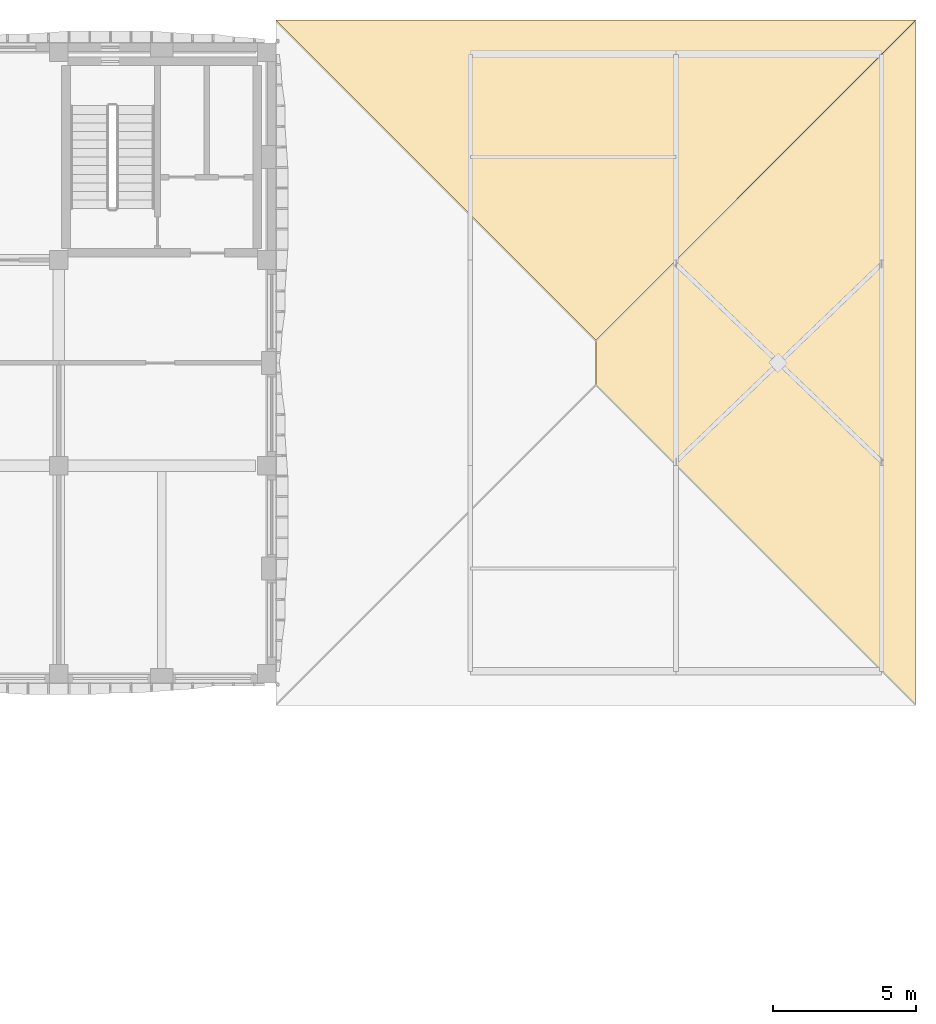
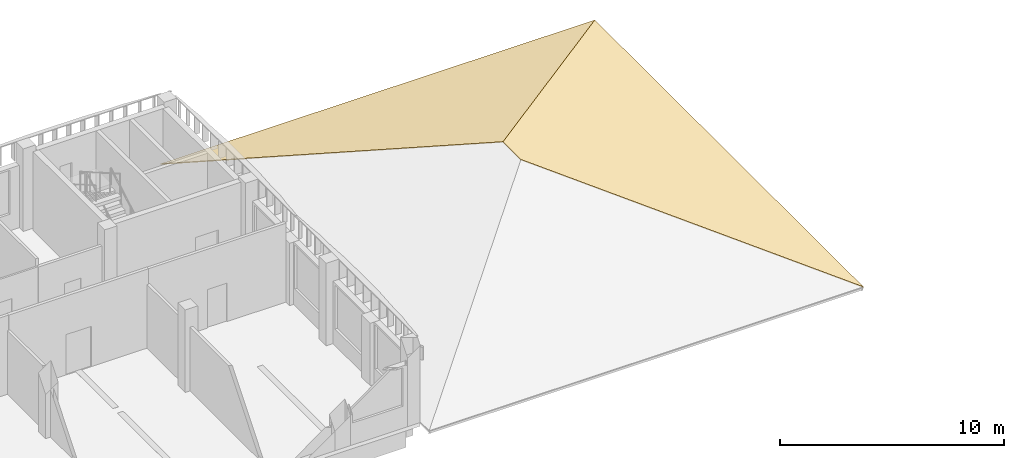
# One storey, part 50 of 54: 2 coverings.
"""IFC4 building model written with IfcOpenShell, lengths in metres."""

from ifc_helpers import new_model, si_unit, direction, frame, origin, place, context, subcontext, project, spatial, polyline, outline, extrude, material, layer, layer_set, type_object, element, save


model = new_model("IFC4")

# Units and contexts
model_context = context("Model", 3, precision=1e-05, world=origin(), true_north=direction((0.0, 1.0)))
body_context = subcontext(model_context, "Body", "Model", "MODEL_VIEW")
ifc_project = project(units=[si_unit("LENGTHUNIT", "METRE"), si_unit("AREAUNIT", "SQUARE_METRE"), si_unit("VOLUMEUNIT", "CUBIC_METRE"), si_unit("PLANEANGLEUNIT", "RADIAN"), si_unit("MASSUNIT", "GRAM", prefix="KILO")], contexts=[model_context])

# Site, building, storey
site_placement = place(None, origin())
site = spatial("IfcSite", under=ifc_project, at=site_placement, CompositionType="ELEMENT")
building_placement = place(site_placement, origin())
building = spatial("IfcBuilding", under=site, at=building_placement, Name="Ussher Court Research Institute", CompositionType="ELEMENT")
storey_placement = place(building_placement, frame((0.0, 0.0, 14.39990234375)))
storey = spatial("IfcBuildingStorey", under=building, at=storey_placement, Name="L03", CompositionType="ELEMENT", Elevation=14.39990234375)

# Coverings
ifc_material = material(Name="Zinc standing seam")
ifc_layer = layer(ifc_material, 0.0400390625)
ifc_layer_set = layer_set([ifc_layer], Name="Zinc standing seam")
covering_type = type_object("IfcCoveringType", Name="Standing seam zinc covering 40", PredefinedType="ROOFING", material=ifc_layer_set)
covering_1_placement = place(storey_placement, frame((105.0, 67.60009765625, 0.042724609375), z_axis=(0.342017710593, 0.0, 0.939693506225), x_axis=(0.0, 1.0, 0.0)))
element("IfcCovering", 1, at=covering_1_placement, inside=storey, type_object=covering_type, Name="Roof covering RC1 V3", PredefinedType="ROOFING", context=body_context, shape_type="SweptSolid", body=[
    extrude(outline(polyline([(0.0, 0.0), (24.0, 0.0), (12.7998046875, 11.918727859332478), (11.199951171875, 11.918727859332478), (0.0, 0.0)])), origin(), (0.0, 0.0, -1.0), 0.0400390625),
])
covering_2_placement = place(storey_placement, frame((105.0, 91.60009765625, 0.042724609375), z_axis=(0.0, 0.342011127391, 0.939695902269), x_axis=(-1.0, 0.0, 0.0)))
element("IfcCovering", 2, at=covering_2_placement, inside=storey, type_object=covering_type, Name="Roof covering RC1 V3", PredefinedType="ROOFING", context=body_context, shape_type="SweptSolid", body=[
    extrude(outline(polyline([(0.0, 0.0), (22.39990234375, 0.0), (11.199951171875, 11.918957276984885), (0.0, 0.0)])), origin(), (0.0, 0.0, -1.0), 0.0400390625),
])

save(model, "model.ifc")
